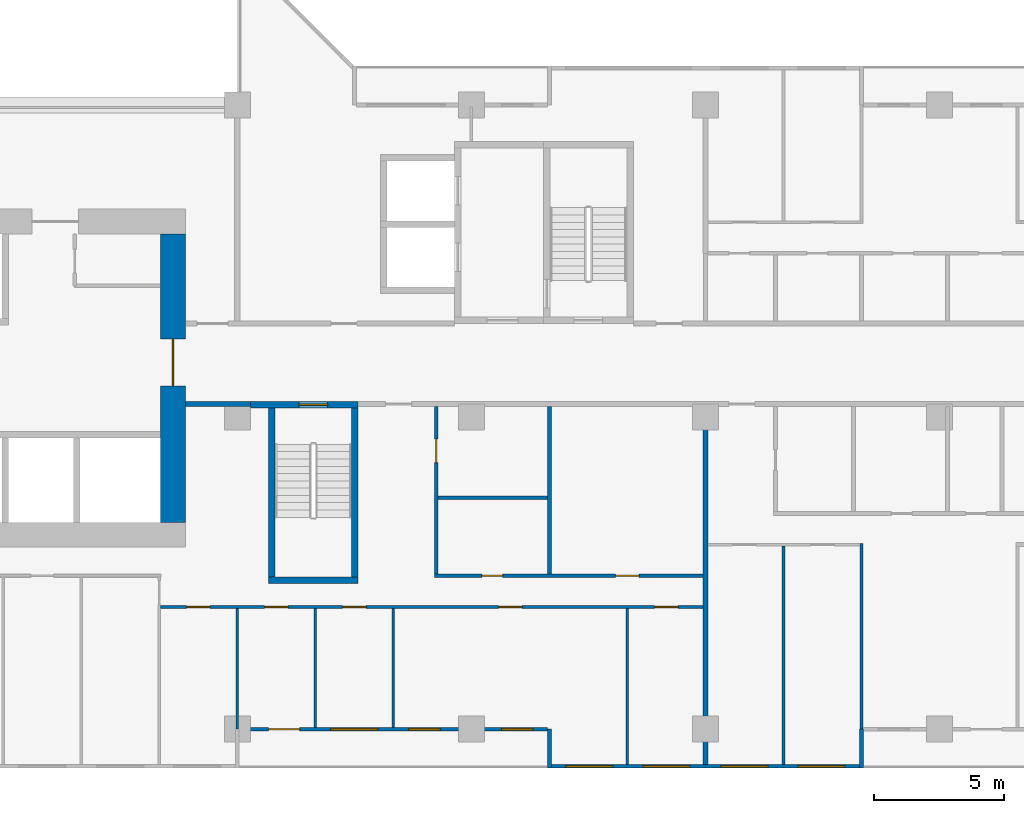
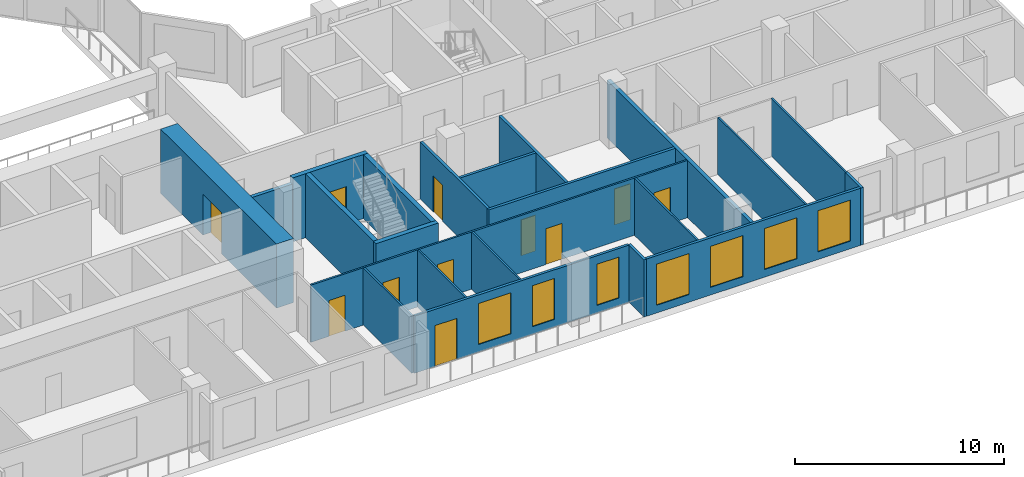
# One storey, part 6 of 16: 22 walls, 11 doors, 7 windows, 18 openings.
"""IFC4 building model written with IfcOpenShell, lengths in metres."""

from ifc_helpers import new_model, si_unit, direction, frame, frame_2d, origin, place, context, subcontext, project, spatial, rectangle, extrude, material, layer, layer_set, type_object, element, fill, save


model = new_model("IFC4")

# Units and contexts
model_context = context("Model", 3, precision=1e-05, world=origin(), true_north=direction((0.0, 1.0)))
body_context = subcontext(model_context, "Body", "Model", "MODEL_VIEW")
ifc_project = project(units=[si_unit("LENGTHUNIT", "METRE"), si_unit("AREAUNIT", "SQUARE_METRE"), si_unit("VOLUMEUNIT", "CUBIC_METRE"), si_unit("PLANEANGLEUNIT", "RADIAN"), si_unit("MASSUNIT", "GRAM", prefix="KILO")], contexts=[model_context])

# Site, building, storey
site_placement = place(None, origin())
site = spatial("IfcSite", under=ifc_project, at=site_placement, CompositionType="ELEMENT")
building_placement = place(site_placement, origin())
building = spatial("IfcBuilding", under=site, at=building_placement, Name="Chenar Terraces", CompositionType="ELEMENT")
storey_placement = place(building_placement, frame((0.0, 0.0, 103.14990234375)))
storey = spatial("IfcBuildingStorey", under=building, at=storey_placement, Name="L23", CompositionType="ELEMENT", Elevation=103.14990234375)

# Wall
ifc_material_1 = material(Name="Concrete C70/85", Category="concrete")
ifc_layer_1 = layer(ifc_material_1, 0.25)
ifc_layer_set_1 = layer_set([ifc_layer_1], Name="Concrete C70/85")
wall_type_1 = type_object("IfcWallType", Name="Core wall 250 Concrete C70/85", PredefinedType="SHEAR", material=ifc_layer_set_1)
wall_1_placement = place(storey_placement, frame((37.199951171875, 5.72509765625, 0.0), z_axis=(0.0, 0.0, 1.0), x_axis=(1.0, 0.0, 0.0)))
element("IfcWall", 1, at=wall_1_placement, inside=storey, type_object=wall_type_1, Name="Core wall ST2_S L23", PredefinedType="SHEAR", context=body_context, shape_type="SweptSolid", body=[
    extrude(rectangle(XDim=3.449951171875, YDim=0.25, at=frame_2d((1.72509765625, 0.0))), origin(), (0.0, 0.0, 1.0), 3.75),
])

# Wall, opening, door
wall_2_placement = place(storey_placement, frame((36.5, 12.47509765625, 0.0), z_axis=(0.0, 0.0, 1.0), x_axis=(1.0, 0.0, 0.0)))
wall_2 = element("IfcWall", 2, at=wall_2_placement, inside=storey, type_object=wall_type_1, Name="Core wall ST2_N L23", PredefinedType="SHEAR", context=body_context, shape_type="SweptSolid", body=[
    extrude(rectangle(XDim=4.14990234375, YDim=0.25, at=frame_2d((2.074951171875, 0.0))), origin(), (0.0, 0.0, 1.0), 3.75),
])
opening_1_placement = place(wall_2_placement, frame((1.875, 0.0, 0.0)))
opening_1 = element("IfcOpeningElement", 3, at=opening_1_placement, cuts=wall_2, Name="Opening DL23-C7", PredefinedType="OPENING", context=body_context, shape_type="SweptSolid", body=[
    extrude(rectangle(XDim=1.10009765625, YDim=2.199951171875, at=frame_2d((0.550048828125, 1.10009765625))), frame((0.0, 0.135009765625, 0.0), z_axis=(0.0, -1.0, 0.0), x_axis=(1.0, 0.0, 0.0)), (0.0, 0.0, 1.0), 0.27001953125),
])
ifc_material_2 = material(Name="Steel-framed fire-resisting door leaf", Category="steel")
door_type_1 = type_object("IfcDoorType", Name="Stair fire door FD60 1100 x 2200", OperationType="SINGLE_SWING_LEFT", PredefinedType="DOOR", material=ifc_material_2)
door_1_placement = place(opening_1_placement, frame((1.10009765625, 0.0, 0.0), z_axis=(0.0, 0.0, 1.0), x_axis=(-1.0, 0.0, 0.0)))
door_1 = element("IfcDoor", 4, at=door_1_placement, inside=storey, type_object=door_type_1, Name="Stair door DL23-C7", OperationType="SINGLE_SWING_RIGHT", OverallHeight=2.199951171875, OverallWidth=1.10009765625, PredefinedType="DOOR", context=body_context, shape_type="SweptSolid", body=[
    extrude(rectangle(XDim=1.10009765625, YDim=2.199951171875, at=frame_2d((0.550048828125, 1.10009765625))), frame((0.0, 0.02490234375, 0.0), z_axis=(0.0, -1.0, 0.0), x_axis=(1.0, 0.0, 0.0)), (0.0, 0.0, 1.0), 0.050048828125),
])
fill(opening_1, door_1)

# Walls
for number, where, z_axis, x_axis, name in (
    (5, (37.324951171875, 5.85009765625, 0.0), (0.0, 0.0, 1.0), (0.0, 1.0, 0.0), "Core wall ST2_W L23"),
    (6, (40.52490234375, 5.85009765625, 0.0), (0.0, 0.0, 1.0), (0.0, 1.0, 0.0), "Core wall ST2_E L23"),
):
    element("IfcWall", number, at=place(storey_placement, frame(where, z_axis=z_axis, x_axis=x_axis)), inside=storey, type_object=wall_type_1, Name=name, PredefinedType="SHEAR", context=body_context, shape_type="SweptSolid", body=[
        extrude(rectangle(XDim=6.5, YDim=0.25, at=frame_2d((3.25, 0.0))), origin(), (0.0, 0.0, 1.0), 3.75),
    ])

# Wall, opening, door
ifc_material_3 = material(Name="Concrete C70/85", Category="concrete")
ifc_layer_2 = layer(ifc_material_3, 0.949951171875)
ifc_layer_set_2 = layer_set([ifc_layer_2], Name="Concrete C70/85")
wall_type_2 = type_object("IfcWallType", Name="Core wall 950 Concrete C70/85", PredefinedType="SHEAR", material=ifc_layer_set_2)
wall_3_placement = place(storey_placement, frame((33.52490234375, 7.949951171875, 0.0), z_axis=(0.0, 0.0, 1.0), x_axis=(0.0, 1.0, 0.0)))
wall_3 = element("IfcWall", 7, at=wall_3_placement, inside=storey, type_object=wall_type_2, Name="Core wall E L23", PredefinedType="SHEAR", context=body_context, shape_type="SweptSolid", body=[
    extrude(rectangle(XDim=11.10009765625, YDim=0.949951171875, at=frame_2d((5.550048828125, 0.0))), origin(), (0.0, 0.0, 1.0), 3.75),
])
opening_2_placement = place(wall_3_placement, frame((5.25, 0.0, 0.0)))
opening_2 = element("IfcOpeningElement", 8, at=opening_2_placement, cuts=wall_3, Name="Opening DL23-C1", PredefinedType="OPENING", context=body_context, shape_type="SweptSolid", body=[
    extrude(rectangle(XDim=1.800048828125, YDim=2.39990234375, at=frame_2d((0.89990234375, 1.199951171875))), frame((0.0, 0.48486328125, 0.0), z_axis=(0.0, -1.0, 0.0), x_axis=(1.0, 0.0, 0.0)), (0.0, 0.0, 1.0), 0.969970703125),
])
ifc_material_4 = material(Name="Steel-framed fire-resisting door leaf", Category="steel")
door_type_2 = type_object("IfcDoorType", Name="Core entrance double fire door FD60 1800 x 2400", OperationType="DOUBLE_DOOR_SINGLE_SWING", PredefinedType="DOOR", material=ifc_material_4)
door_2_placement = place(opening_2_placement, origin())
door_2 = element("IfcDoor", 9, at=door_2_placement, inside=storey, type_object=door_type_2, Name="Core door DL23-C1", OperationType="DOUBLE_DOOR_SINGLE_SWING", OverallHeight=2.39990234375, OverallWidth=1.800048828125, PredefinedType="DOOR", context=body_context, shape_type="SweptSolid", body=[
    extrude(rectangle(XDim=1.800048828125, YDim=2.39990234375, at=frame_2d((0.89990234375, 1.199951171875))), frame((0.0, 0.02490234375, 0.0), z_axis=(0.0, -1.0, 0.0), x_axis=(1.0, 0.0, 0.0)), (0.0, 0.0, 1.0), 0.050048828125),
])
fill(opening_2, door_2)

# Wall
ifc_material_5 = material(Name="Gypsum board on steel studs with fire boards", Category="steel")
ifc_layer_3 = layer(ifc_material_5, 0.199951171875)
ifc_layer_set_3 = layer_set([ifc_layer_3], Name="Gypsum board on steel studs with fire boards")
wall_type_3 = type_object("IfcWallType", Name="Corridor wall 200", PredefinedType="PARTITIONING", material=ifc_layer_set_3)
wall_4_placement = place(storey_placement, frame((34.0, 12.5, 0.0), z_axis=(0.0, 0.0, 1.0), x_axis=(1.0, 0.0, 0.0)))
element("IfcWall", 10, at=wall_4_placement, inside=storey, type_object=wall_type_3, Name="Partition L23-061", PredefinedType="PARTITIONING", context=body_context, shape_type="SweptSolid", body=[
    extrude(rectangle(XDim=2.5009765625, YDim=0.199951171875, at=frame_2d((1.25048828125, 0.0))), origin(), (0.0, 0.0, 1.0), 3.35009765625),
])

# Wall, openings, windows
ifc_material_6 = material(Name="Aluminium framed glazing", Category="aluminium")
ifc_layer_4 = layer(ifc_material_6, 0.14990234375)
ifc_layer_set_4 = layer_set([ifc_layer_4], Name="Aluminium framed glazing")
wall_type_4 = type_object("IfcWallType", Name="Glazed flush facade wall 150", PredefinedType="SOLIDWALL", material=ifc_layer_set_4)
wall_5_placement = place(storey_placement, frame((48.074951171875, -1.425048828125, 0.0), z_axis=(0.0, 0.0, 1.0), x_axis=(1.0, 0.0, 0.0)))
wall_5 = element("IfcWall", 11, at=wall_5_placement, inside=storey, type_object=wall_type_4, Name="Glazed flush facade wall", PredefinedType="SOLIDWALL", context=body_context, shape_type="SweptSolid", body=[
    extrude(rectangle(XDim=11.85009765625, YDim=0.14990234375, at=frame_2d((5.925048828125, 0.0))), origin(), (0.0, 0.0, 1.0), 3.35009765625),
])
opening_3_placement = place(wall_5_placement, frame((0.5625, 0.0, 0.449951171875)))
opening_3 = element("IfcOpeningElement", 12, at=opening_3_placement, cuts=wall_5, Name="Opening W180x240", PredefinedType="OPENING", context=body_context, shape_type="SweptSolid", body=[
    extrude(rectangle(XDim=1.800048828125, YDim=2.39990234375, at=frame_2d((0.89990234375, 1.199951171875))), frame((0.0, 0.0849609375, 0.0), z_axis=(0.0, -1.0, 0.0), x_axis=(1.0, 0.0, 0.0)), (0.0, 0.0, 1.0), 0.169921875),
])
opening_4_placement = place(wall_5_placement, frame((3.52490234375, 0.0, 0.449951171875)))
opening_4 = element("IfcOpeningElement", 13, at=opening_4_placement, cuts=wall_5, Name="Opening W180x240", PredefinedType="OPENING", context=body_context, shape_type="SweptSolid", body=[
    extrude(rectangle(XDim=1.800048828125, YDim=2.39990234375, at=frame_2d((0.89990234375, 1.199951171875))), frame((0.0, 0.0849609375, 0.0), z_axis=(0.0, -1.0, 0.0), x_axis=(1.0, 0.0, 0.0)), (0.0, 0.0, 1.0), 0.169921875),
])
opening_5_placement = place(wall_5_placement, frame((6.52490234375, 0.0, 0.449951171875)))
opening_5 = element("IfcOpeningElement", 14, at=opening_5_placement, cuts=wall_5, Name="Opening W180x240", PredefinedType="OPENING", context=body_context, shape_type="SweptSolid", body=[
    extrude(rectangle(XDim=1.800048828125, YDim=2.39990234375, at=frame_2d((0.89990234375, 1.199951171875))), frame((0.0, 0.0849609375, 0.0), z_axis=(0.0, -1.0, 0.0), x_axis=(1.0, 0.0, 0.0)), (0.0, 0.0, 1.0), 0.169921875),
])
opening_6_placement = place(wall_5_placement, frame((9.487548828125, 0.0, 0.449951171875)))
opening_6 = element("IfcOpeningElement", 15, at=opening_6_placement, cuts=wall_5, Name="Opening W180x240", PredefinedType="OPENING", context=body_context, shape_type="SweptSolid", body=[
    extrude(rectangle(XDim=1.800048828125, YDim=2.39990234375, at=frame_2d((0.89990234375, 1.199951171875))), frame((0.0, 0.0849609375, 0.0), z_axis=(0.0, -1.0, 0.0), x_axis=(1.0, 0.0, 0.0)), (0.0, 0.0, 1.0), 0.169921875),
])
ifc_material_7 = material(Name="Low emissivity double glazing, aluminium frame", Category="aluminium")
window_type_1 = type_object("IfcWindowType", Name="Fixed light 1800 x 2400", PartitioningType="SINGLE_PANEL", PredefinedType="WINDOW", material=ifc_material_7)
window_1_placement = place(opening_3_placement, origin())
window_1 = element("IfcWindow", 16, at=window_1_placement, inside=storey, type_object=window_type_1, Name="Window", OverallHeight=2.39990234375, OverallWidth=1.800048828125, PartitioningType="SINGLE_PANEL", PredefinedType="WINDOW", context=body_context, shape_type="SweptSolid", body=[
    extrude(rectangle(XDim=1.800048828125, YDim=2.39990234375, at=frame_2d((0.89990234375, 1.199951171875))), frame((0.0, 0.030029296875, 0.0), z_axis=(0.0, -1.0, 0.0), x_axis=(1.0, 0.0, 0.0)), (0.0, 0.0, 1.0), 0.06005859375),
])
fill(opening_3, window_1)
window_2_placement = place(opening_4_placement, origin())
window_2 = element("IfcWindow", 17, at=window_2_placement, inside=storey, type_object=window_type_1, Name="Window", OverallHeight=2.39990234375, OverallWidth=1.800048828125, PartitioningType="SINGLE_PANEL", PredefinedType="WINDOW", context=body_context, shape_type="SweptSolid", body=[
    extrude(rectangle(XDim=1.800048828125, YDim=2.39990234375, at=frame_2d((0.89990234375, 1.199951171875))), frame((0.0, 0.030029296875, 0.0), z_axis=(0.0, -1.0, 0.0), x_axis=(1.0, 0.0, 0.0)), (0.0, 0.0, 1.0), 0.06005859375),
])
fill(opening_4, window_2)
window_3_placement = place(opening_5_placement, origin())
window_3 = element("IfcWindow", 18, at=window_3_placement, inside=storey, type_object=window_type_1, Name="Window", OverallHeight=2.39990234375, OverallWidth=1.800048828125, PartitioningType="SINGLE_PANEL", PredefinedType="WINDOW", context=body_context, shape_type="SweptSolid", body=[
    extrude(rectangle(XDim=1.800048828125, YDim=2.39990234375, at=frame_2d((0.89990234375, 1.199951171875))), frame((0.0, 0.030029296875, 0.0), z_axis=(0.0, -1.0, 0.0), x_axis=(1.0, 0.0, 0.0)), (0.0, 0.0, 1.0), 0.06005859375),
])
fill(opening_5, window_3)
window_4_placement = place(opening_6_placement, origin())
window_4 = element("IfcWindow", 19, at=window_4_placement, inside=storey, type_object=window_type_1, Name="Window", OverallHeight=2.39990234375, OverallWidth=1.800048828125, PartitioningType="SINGLE_PANEL", PredefinedType="WINDOW", context=body_context, shape_type="SweptSolid", body=[
    extrude(rectangle(XDim=1.800048828125, YDim=2.39990234375, at=frame_2d((0.89990234375, 1.199951171875))), frame((0.0, 0.030029296875, 0.0), z_axis=(0.0, -1.0, 0.0), x_axis=(1.0, 0.0, 0.0)), (0.0, 0.0, 1.0), 0.06005859375),
])
fill(opening_6, window_4)

# Wall, openings, windows, door
ifc_material_8 = material(Name="Aluminium framed glazing", Category="aluminium")
ifc_layer_5 = layer(ifc_material_8, 0.14990234375)
ifc_layer_set_5 = layer_set([ifc_layer_5], Name="Aluminium framed glazing")
wall_type_5 = type_object("IfcWallType", Name="Glazed loggia back wall 150", PredefinedType="SOLIDWALL", material=ifc_layer_set_5)
wall_6_placement = place(storey_placement, frame((36.074951171875, 0.0, 0.0), z_axis=(0.0, 0.0, 1.0), x_axis=(1.0, 0.0, 0.0)))
wall_6 = element("IfcWall", 20, at=wall_6_placement, inside=storey, type_object=wall_type_5, Name="Glazed loggia back wall", PredefinedType="SOLIDWALL", context=body_context, shape_type="SweptSolid", body=[
    extrude(rectangle(XDim=11.85009765625, YDim=0.14990234375, at=frame_2d((5.925048828125, 0.0))), origin(), (0.0, 0.0, 1.0), 3.35009765625),
])
opening_7_placement = place(wall_6_placement, frame((1.125, 0.0, 0.0)))
opening_7 = element("IfcOpeningElement", 21, at=opening_7_placement, cuts=wall_6, Name="Opening DL23-G7", PredefinedType="OPENING", context=body_context, shape_type="SweptSolid", body=[
    extrude(rectangle(XDim=1.199951171875, YDim=2.39990234375, at=frame_2d((0.60009765625, 1.199951171875))), frame((0.0, 0.0849609375, 0.0), z_axis=(0.0, -1.0, 0.0), x_axis=(1.0, 0.0, 0.0)), (0.0, 0.0, 1.0), 0.169921875),
])
opening_8_placement = place(wall_6_placement, frame((3.52490234375, 0.0, 0.449951171875)))
opening_8 = element("IfcOpeningElement", 22, at=opening_8_placement, cuts=wall_6, Name="Opening W180x240", PredefinedType="OPENING", context=body_context, shape_type="SweptSolid", body=[
    extrude(rectangle(XDim=1.800048828125, YDim=2.39990234375, at=frame_2d((0.89990234375, 1.199951171875))), frame((0.0, 0.0849609375, 0.0), z_axis=(0.0, -1.0, 0.0), x_axis=(1.0, 0.0, 0.0)), (0.0, 0.0, 1.0), 0.169921875),
])
opening_9_placement = place(wall_6_placement, frame((6.52490234375, 0.0, 0.449951171875)))
opening_9 = element("IfcOpeningElement", 23, at=opening_9_placement, cuts=wall_6, Name="Opening W120x240", PredefinedType="OPENING", context=body_context, shape_type="SweptSolid", body=[
    extrude(rectangle(XDim=1.199951171875, YDim=2.39990234375, at=frame_2d((0.60009765625, 1.199951171875))), frame((0.0, 0.0849609375, 0.0), z_axis=(0.0, -1.0, 0.0), x_axis=(1.0, 0.0, 0.0)), (0.0, 0.0, 1.0), 0.169921875),
])
opening_10_placement = place(wall_6_placement, frame((10.08740234375, 0.0, 0.449951171875)))
opening_10 = element("IfcOpeningElement", 24, at=opening_10_placement, cuts=wall_6, Name="Opening W120x240", PredefinedType="OPENING", context=body_context, shape_type="SweptSolid", body=[
    extrude(rectangle(XDim=1.199951171875, YDim=2.39990234375, at=frame_2d((0.60009765625, 1.199951171875))), frame((0.0, 0.0849609375, 0.0), z_axis=(0.0, -1.0, 0.0), x_axis=(1.0, 0.0, 0.0)), (0.0, 0.0, 1.0), 0.169921875),
])
ifc_material_9 = material(Name="Low emissivity double glazing, aluminium frame", Category="aluminium")
window_type_2 = type_object("IfcWindowType", Name="Fixed light 1200 x 2400", PartitioningType="SINGLE_PANEL", PredefinedType="WINDOW", material=ifc_material_9)
window_5_placement = place(opening_9_placement, origin())
window_5 = element("IfcWindow", 25, at=window_5_placement, inside=storey, type_object=window_type_2, Name="Window", OverallHeight=2.39990234375, OverallWidth=1.199951171875, PartitioningType="SINGLE_PANEL", PredefinedType="WINDOW", context=body_context, shape_type="SweptSolid", body=[
    extrude(rectangle(XDim=1.199951171875, YDim=2.39990234375, at=frame_2d((0.60009765625, 1.199951171875))), frame((0.0, 0.030029296875, 0.0), z_axis=(0.0, -1.0, 0.0), x_axis=(1.0, 0.0, 0.0)), (0.0, 0.0, 1.0), 0.06005859375),
])
fill(opening_9, window_5)
window_6_placement = place(opening_10_placement, origin())
window_6 = element("IfcWindow", 26, at=window_6_placement, inside=storey, type_object=window_type_2, Name="Window", OverallHeight=2.39990234375, OverallWidth=1.199951171875, PartitioningType="SINGLE_PANEL", PredefinedType="WINDOW", context=body_context, shape_type="SweptSolid", body=[
    extrude(rectangle(XDim=1.199951171875, YDim=2.39990234375, at=frame_2d((0.60009765625, 1.199951171875))), frame((0.0, 0.030029296875, 0.0), z_axis=(0.0, -1.0, 0.0), x_axis=(1.0, 0.0, 0.0)), (0.0, 0.0, 1.0), 0.06005859375),
])
fill(opening_10, window_6)
window_7_placement = place(opening_8_placement, origin())
window_7 = element("IfcWindow", 27, at=window_7_placement, inside=storey, type_object=window_type_1, Name="Window", OverallHeight=2.39990234375, OverallWidth=1.800048828125, PartitioningType="SINGLE_PANEL", PredefinedType="WINDOW", context=body_context, shape_type="SweptSolid", body=[
    extrude(rectangle(XDim=1.800048828125, YDim=2.39990234375, at=frame_2d((0.89990234375, 1.199951171875))), frame((0.0, 0.030029296875, 0.0), z_axis=(0.0, -1.0, 0.0), x_axis=(1.0, 0.0, 0.0)), (0.0, 0.0, 1.0), 0.06005859375),
])
fill(opening_8, window_7)
ifc_material_10 = material(Name="Low emissivity double glazing, aluminium frame", Category="aluminium")
door_type_3 = type_object("IfcDoorType", Name="Loggia glazed double door 1200 x 2400", OperationType="DOUBLE_DOOR_SINGLE_SWING", PredefinedType="DOOR", material=ifc_material_10)
door_3_placement = place(opening_7_placement, frame((1.199951171875, 0.0, 0.0), z_axis=(0.0, 0.0, 1.0), x_axis=(-1.0, 0.0, 0.0)))
door_3 = element("IfcDoor", 28, at=door_3_placement, inside=storey, type_object=door_type_3, Name="Loggia glazed door", OperationType="DOUBLE_DOOR_SINGLE_SWING", OverallHeight=2.39990234375, OverallWidth=1.199951171875, PredefinedType="DOOR", context=body_context, shape_type="SweptSolid", body=[
    extrude(rectangle(XDim=1.199951171875, YDim=2.39990234375, at=frame_2d((0.60009765625, 1.199951171875))), frame((0.0, 0.02490234375, 0.0), z_axis=(0.0, -1.0, 0.0), x_axis=(1.0, 0.0, 0.0)), (0.0, 0.0, 1.0), 0.050048828125),
])
fill(opening_7, door_3)

# Wall, openings, doors
ifc_material_11 = material(Name="Gypsum board on steel studs", Category="steel")
ifc_layer_6 = layer(ifc_material_11, 0.10009765625)
ifc_layer_set_6 = layer_set([ifc_layer_6], Name="Gypsum board on steel studs")
wall_type_6 = type_object("IfcWallType", Name="Gypsum partition 100", PredefinedType="PARTITIONING", material=ifc_layer_set_6)
wall_7_placement = place(storey_placement, frame((33.050048828125, 4.699951171875, 0.0), z_axis=(0.0, 0.0, 1.0), x_axis=(1.0, 0.0, 0.0)))
wall_7 = element("IfcWall", 29, at=wall_7_placement, inside=storey, type_object=wall_type_6, Name="Partition L23-060", PredefinedType="PARTITIONING", context=body_context, shape_type="SweptSolid", body=[
    extrude(rectangle(XDim=20.849853515625, YDim=0.10009765625, at=frame_2d((10.4248046875, 0.0))), origin(), (0.0, 0.0, 1.0), 3.35009765625),
])
opening_11_placement = place(wall_7_placement, frame((1.0, 0.0, 0.0)))
opening_11 = element("IfcOpeningElement", 30, at=opening_11_placement, cuts=wall_7, Name="Opening DL23-58", PredefinedType="OPENING", context=body_context, shape_type="SweptSolid", body=[
    extrude(rectangle(XDim=0.89990234375, YDim=2.10009765625, at=frame_2d((0.449951171875, 1.050048828125))), frame((0.0, 0.06005859375, 0.0), z_axis=(0.0, -1.0, 0.0), x_axis=(1.0, 0.0, 0.0)), (0.0, 0.0, 1.0), 0.1201171875),
])
opening_12_placement = place(wall_7_placement, frame((4.0, 0.0, 0.0)))
opening_12 = element("IfcOpeningElement", 31, at=opening_12_placement, cuts=wall_7, Name="Opening DL23-59", PredefinedType="OPENING", context=body_context, shape_type="SweptSolid", body=[
    extrude(rectangle(XDim=0.89990234375, YDim=2.10009765625, at=frame_2d((0.449951171875, 1.050048828125))), frame((0.0, 0.06005859375, 0.0), z_axis=(0.0, -1.0, 0.0), x_axis=(1.0, 0.0, 0.0)), (0.0, 0.0, 1.0), 0.1201171875),
])
opening_13_placement = place(wall_7_placement, frame((7.0, 0.0, 0.0)))
opening_13 = element("IfcOpeningElement", 32, at=opening_13_placement, cuts=wall_7, Name="Opening DL23-60", PredefinedType="OPENING", context=body_context, shape_type="SweptSolid", body=[
    extrude(rectangle(XDim=0.89990234375, YDim=2.10009765625, at=frame_2d((0.449951171875, 1.050048828125))), frame((0.0, 0.06005859375, 0.0), z_axis=(0.0, -1.0, 0.0), x_axis=(1.0, 0.0, 0.0)), (0.0, 0.0, 1.0), 0.1201171875),
])
opening_14_placement = place(wall_7_placement, frame((19.0, 0.0, 0.0)))
opening_14 = element("IfcOpeningElement", 33, at=opening_14_placement, cuts=wall_7, Name="Opening DL23-61", PredefinedType="OPENING", context=body_context, shape_type="SweptSolid", body=[
    extrude(rectangle(XDim=0.89990234375, YDim=2.10009765625, at=frame_2d((0.449951171875, 1.050048828125))), frame((0.0, 0.06005859375, 0.0), z_axis=(0.0, -1.0, 0.0), x_axis=(1.0, 0.0, 0.0)), (0.0, 0.0, 1.0), 0.1201171875),
])
opening_15_placement = place(wall_7_placement, frame((13.0, 0.0, 0.0)))
opening_15 = element("IfcOpeningElement", 34, at=opening_15_placement, cuts=wall_7, Name="Opening DL23-67", PredefinedType="OPENING", context=body_context, shape_type="SweptSolid", body=[
    extrude(rectangle(XDim=0.89990234375, YDim=2.10009765625, at=frame_2d((0.449951171875, 1.050048828125))), frame((0.0, 0.06005859375, 0.0), z_axis=(0.0, -1.0, 0.0), x_axis=(1.0, 0.0, 0.0)), (0.0, 0.0, 1.0), 0.1201171875),
])
ifc_material_12 = material(Name="Veneered timber door leaf", Category="wood")
door_type_4 = type_object("IfcDoorType", Name="Door 900 x 2100", OperationType="SINGLE_SWING_LEFT", PredefinedType="DOOR", material=ifc_material_12)
door_4_placement = place(opening_11_placement, frame((0.89990234375, 0.0, 0.0), z_axis=(0.0, 0.0, 1.0), x_axis=(-1.0, 0.0, 0.0)))
door_4 = element("IfcDoor", 35, at=door_4_placement, inside=storey, type_object=door_type_4, Name="Door DL23-58", OperationType="SINGLE_SWING_LEFT", OverallHeight=2.10009765625, OverallWidth=0.89990234375, PredefinedType="DOOR", context=body_context, shape_type="SweptSolid", body=[
    extrude(rectangle(XDim=0.89990234375, YDim=2.10009765625, at=frame_2d((0.449951171875, 1.050048828125))), frame((0.0, 0.02490234375, 0.0), z_axis=(0.0, -1.0, 0.0), x_axis=(1.0, 0.0, 0.0)), (0.0, 0.0, 1.0), 0.050048828125),
])
fill(opening_11, door_4)
door_5_placement = place(opening_12_placement, frame((0.89990234375, 0.0, 0.0), z_axis=(0.0, 0.0, 1.0), x_axis=(-1.0, 0.0, 0.0)))
door_5 = element("IfcDoor", 36, at=door_5_placement, inside=storey, type_object=door_type_4, Name="Door DL23-59", OperationType="SINGLE_SWING_LEFT", OverallHeight=2.10009765625, OverallWidth=0.89990234375, PredefinedType="DOOR", context=body_context, shape_type="SweptSolid", body=[
    extrude(rectangle(XDim=0.89990234375, YDim=2.10009765625, at=frame_2d((0.449951171875, 1.050048828125))), frame((0.0, 0.02490234375, 0.0), z_axis=(0.0, -1.0, 0.0), x_axis=(1.0, 0.0, 0.0)), (0.0, 0.0, 1.0), 0.050048828125),
])
fill(opening_12, door_5)
door_6_placement = place(opening_13_placement, frame((0.89990234375, 0.0, 0.0), z_axis=(0.0, 0.0, 1.0), x_axis=(-1.0, 0.0, 0.0)))
door_6 = element("IfcDoor", 37, at=door_6_placement, inside=storey, type_object=door_type_4, Name="Door DL23-60", OperationType="SINGLE_SWING_LEFT", OverallHeight=2.10009765625, OverallWidth=0.89990234375, PredefinedType="DOOR", context=body_context, shape_type="SweptSolid", body=[
    extrude(rectangle(XDim=0.89990234375, YDim=2.10009765625, at=frame_2d((0.449951171875, 1.050048828125))), frame((0.0, 0.02490234375, 0.0), z_axis=(0.0, -1.0, 0.0), x_axis=(1.0, 0.0, 0.0)), (0.0, 0.0, 1.0), 0.050048828125),
])
fill(opening_13, door_6)
door_7_placement = place(opening_14_placement, frame((0.89990234375, 0.0, 0.0), z_axis=(0.0, 0.0, 1.0), x_axis=(-1.0, 0.0, 0.0)))
door_7 = element("IfcDoor", 38, at=door_7_placement, inside=storey, type_object=door_type_4, Name="Door DL23-61", OperationType="SINGLE_SWING_LEFT", OverallHeight=2.10009765625, OverallWidth=0.89990234375, PredefinedType="DOOR", context=body_context, shape_type="SweptSolid", body=[
    extrude(rectangle(XDim=0.89990234375, YDim=2.10009765625, at=frame_2d((0.449951171875, 1.050048828125))), frame((0.0, 0.02490234375, 0.0), z_axis=(0.0, -1.0, 0.0), x_axis=(1.0, 0.0, 0.0)), (0.0, 0.0, 1.0), 0.050048828125),
])
fill(opening_14, door_7)
door_8_placement = place(opening_15_placement, frame((0.89990234375, 0.0, 0.0), z_axis=(0.0, 0.0, 1.0), x_axis=(-1.0, 0.0, 0.0)))
door_8 = element("IfcDoor", 39, at=door_8_placement, inside=storey, type_object=door_type_4, Name="Door DL23-67", OperationType="SINGLE_SWING_LEFT", OverallHeight=2.10009765625, OverallWidth=0.89990234375, PredefinedType="DOOR", context=body_context, shape_type="SweptSolid", body=[
    extrude(rectangle(XDim=0.89990234375, YDim=2.10009765625, at=frame_2d((0.449951171875, 1.050048828125))), frame((0.0, 0.02490234375, 0.0), z_axis=(0.0, -1.0, 0.0), x_axis=(1.0, 0.0, 0.0)), (0.0, 0.0, 1.0), 0.050048828125),
])
fill(opening_15, door_8)

# Walls
wall_8_placement = place(storey_placement, frame((36.0, 0.0, 0.0), z_axis=(0.0, 0.0, 1.0), x_axis=(0.0, 1.0, 0.0)))
element("IfcWall", 40, at=wall_8_placement, inside=storey, type_object=wall_type_6, Name="Partition L23-063", PredefinedType="PARTITIONING", context=body_context, shape_type="SweptSolid", body=[
    extrude(rectangle(XDim=4.64990234375, YDim=0.10009765625, at=frame_2d((2.324951171875, 0.0))), origin(), (0.0, 0.0, 1.0), 3.35009765625),
])
for number, where, z_axis, x_axis, name in (
    (41, (39.0, 0.073974609375, 0.0), (0.0, 0.0, 1.0), (0.0, 1.0, 0.0), "Partition L23-065"),
    (42, (42.0, 0.073974609375, 0.0), (0.0, 0.0, 1.0), (0.0, 1.0, 0.0), "Partition L23-067"),
):
    element("IfcWall", number, at=place(storey_placement, frame(where, z_axis=z_axis, x_axis=x_axis)), inside=storey, type_object=wall_type_6, Name=name, PredefinedType="PARTITIONING", context=body_context, shape_type="SweptSolid", body=[
        extrude(rectangle(XDim=4.575927734375, YDim=0.10009765625, at=frame_2d((2.2880859375, 0.0))), origin(), (0.0, 0.0, 1.0), 3.35009765625),
    ])
wall_9_placement = place(storey_placement, frame((51.0, -1.35009765625, 0.0), z_axis=(0.0, 0.0, 1.0), x_axis=(0.0, 1.0, 0.0)))
element("IfcWall", 43, at=wall_9_placement, inside=storey, type_object=wall_type_6, Name="Partition L23-073", PredefinedType="PARTITIONING", context=body_context, shape_type="SweptSolid", body=[
    extrude(rectangle(XDim=6.0, YDim=0.10009765625, at=frame_2d((3.0, 0.0))), origin(), (0.0, 0.0, 1.0), 3.35009765625),
])
wall_10_placement = place(storey_placement, frame((57.0, -1.35107421875, 0.0), z_axis=(0.0, 0.0, 1.0), x_axis=(0.0, 1.0, 0.0)))
element("IfcWall", 44, at=wall_10_placement, inside=storey, type_object=wall_type_6, Name="Partition L23-084", PredefinedType="PARTITIONING", context=body_context, shape_type="SweptSolid", body=[
    extrude(rectangle(XDim=8.401123046875, YDim=0.10009765625, at=frame_2d((4.20068359375, 0.0))), origin(), (0.0, 0.0, 1.0), 3.35009765625),
])
wall_11_placement = place(storey_placement, frame((60.0, 0.0, 0.0), z_axis=(0.0, 0.0, 1.0), x_axis=(0.0, 1.0, 0.0)))
element("IfcWall", 45, at=wall_11_placement, inside=storey, type_object=wall_type_6, Name="Partition L23-087", PredefinedType="PARTITIONING", context=body_context, shape_type="SweptSolid", body=[
    extrude(rectangle(XDim=7.14990234375, YDim=0.10009765625, at=frame_2d((3.574951171875, 0.0))), origin(), (0.0, 0.0, 1.0), 3.35009765625),
])
ifc_material_13 = material(Name="Terracotta cladding on insulated backing", Category="masonry")
ifc_layer_7 = layer(ifc_material_13, 0.14990234375)
ifc_layer_set_7 = layer_set([ifc_layer_7], Name="Terracotta cladding on insulated backing")
wall_type_7 = type_object("IfcWallType", Name="Loggia return wall 150", PredefinedType="SOLIDWALL", material=ifc_layer_set_7)
for number, where, z_axis, x_axis, name in (
    (46, (48.0, -1.5, 0.0), (0.0, 0.0, 1.0), (0.0, 1.0, 0.0), "Loggia return wall"),
    (47, (60.0, -1.5, 0.0), (0.0, 0.0, 1.0), (0.0, 1.0, 0.0), "Loggia return wall"),
):
    element("IfcWall", number, at=place(storey_placement, frame(where, z_axis=z_axis, x_axis=x_axis)), inside=storey, type_object=wall_type_7, Name=name, PredefinedType="SOLIDWALL", context=body_context, shape_type="SweptSolid", body=[
        extrude(rectangle(XDim=1.5, YDim=0.14990234375, at=frame_2d((0.75, 0.0))), origin(), (0.0, 0.0, 1.0), 3.35009765625),
    ])
ifc_material_14 = material(Name="Twin gypsum board on steel studs with mineral wool", Category="steel")
ifc_layer_8 = layer(ifc_material_14, 0.199951171875)
ifc_layer_set_8 = layer_set([ifc_layer_8], Name="Twin gypsum board on steel studs with mineral wool")
wall_type_8 = type_object("IfcWallType", Name="Unit demising wall 200", PredefinedType="PARTITIONING", material=ifc_layer_set_8)
wall_12_placement = place(storey_placement, frame((54.0, -1.35107421875, 0.0), z_axis=(0.0, 0.0, 1.0), x_axis=(0.0, 1.0, 0.0)))
element("IfcWall", 48, at=wall_12_placement, inside=storey, type_object=wall_type_8, Name="Partition L23-075", PredefinedType="PARTITIONING", context=body_context, shape_type="SweptSolid", body=[
    extrude(rectangle(XDim=13.7509765625, YDim=0.199951171875, at=frame_2d((6.87548828125, 0.0))), origin(), (0.0, 0.0, 1.0), 3.35009765625),
])

# Wall, openings, doors
ifc_material_15 = material(Name="Moisture-resistant gypsum board on steel studs", Category="steel")
ifc_layer_9 = layer(ifc_material_15, 0.14990234375)
ifc_layer_set_9 = layer_set([ifc_layer_9], Name="Moisture-resistant gypsum board on steel studs")
wall_type_9 = type_object("IfcWallType", Name="Wet-room partition 150", PredefinedType="PARTITIONING", material=ifc_layer_set_9)
wall_13_placement = place(storey_placement, frame((43.574951171875, 5.89990234375, 0.0), z_axis=(0.0, 0.0, 1.0), x_axis=(1.0, 0.0, 0.0)))
wall_13 = element("IfcWall", 49, at=wall_13_placement, inside=storey, type_object=wall_type_9, Name="Partition L23-068", PredefinedType="PARTITIONING", context=body_context, shape_type="SweptSolid", body=[
    extrude(rectangle(XDim=10.324951171875, YDim=0.14990234375, at=frame_2d((5.16259765625, 0.0))), origin(), (0.0, 0.0, 1.0), 3.35009765625),
])
opening_16_placement = place(wall_13_placement, frame((1.824951171875, 0.0, 0.0)))
opening_16 = element("IfcOpeningElement", 50, at=opening_16_placement, cuts=wall_13, Name="Opening DL23-53", PredefinedType="OPENING", context=body_context, shape_type="SweptSolid", body=[
    extrude(rectangle(XDim=0.800048828125, YDim=2.10009765625, at=frame_2d((0.39990234375, 1.050048828125))), frame((0.0, 0.0849609375, 0.0), z_axis=(0.0, -1.0, 0.0), x_axis=(1.0, 0.0, 0.0)), (0.0, 0.0, 1.0), 0.169921875),
])
opening_17_placement = place(wall_13_placement, frame((6.97509765625, 0.0, 0.0)))
opening_17 = element("IfcOpeningElement", 51, at=opening_17_placement, cuts=wall_13, Name="Opening DL23-68", PredefinedType="OPENING", context=body_context, shape_type="SweptSolid", body=[
    extrude(rectangle(XDim=0.89990234375, YDim=2.10009765625, at=frame_2d((0.449951171875, 1.050048828125))), frame((0.0, 0.0849609375, 0.0), z_axis=(0.0, -1.0, 0.0), x_axis=(1.0, 0.0, 0.0)), (0.0, 0.0, 1.0), 0.169921875),
])
ifc_material_16 = material(Name="Veneered timber door leaf", Category="wood")
door_type_5 = type_object("IfcDoorType", Name="Door 800 x 2100", OperationType="SINGLE_SWING_LEFT", PredefinedType="DOOR", material=ifc_material_16)
door_9_placement = place(opening_16_placement, origin())
door_9 = element("IfcDoor", 52, at=door_9_placement, inside=storey, type_object=door_type_5, Name="Door DL23-53", OperationType="SINGLE_SWING_RIGHT", OverallHeight=2.10009765625, OverallWidth=0.800048828125, PredefinedType="DOOR", context=body_context, shape_type="SweptSolid", body=[
    extrude(rectangle(XDim=0.800048828125, YDim=2.10009765625, at=frame_2d((0.39990234375, 1.050048828125))), frame((0.0, 0.02490234375, 0.0), z_axis=(0.0, -1.0, 0.0), x_axis=(1.0, 0.0, 0.0)), (0.0, 0.0, 1.0), 0.050048828125),
])
fill(opening_16, door_9)
door_10_placement = place(opening_17_placement, origin())
door_10 = element("IfcDoor", 53, at=door_10_placement, inside=storey, type_object=door_type_4, Name="Door DL23-68", OperationType="SINGLE_SWING_RIGHT", OverallHeight=2.10009765625, OverallWidth=0.89990234375, PredefinedType="DOOR", context=body_context, shape_type="SweptSolid", body=[
    extrude(rectangle(XDim=0.89990234375, YDim=2.10009765625, at=frame_2d((0.449951171875, 1.050048828125))), frame((0.0, 0.02490234375, 0.0), z_axis=(0.0, -1.0, 0.0), x_axis=(1.0, 0.0, 0.0)), (0.0, 0.0, 1.0), 0.050048828125),
])
fill(opening_17, door_10)

# Wall, opening, door
wall_14_placement = place(storey_placement, frame((43.64990234375, 5.97509765625, 0.0), z_axis=(0.0, 0.0, 1.0), x_axis=(0.0, 1.0, 0.0)))
wall_14 = element("IfcWall", 54, at=wall_14_placement, inside=storey, type_object=wall_type_9, Name="Partition L23-069", PredefinedType="PARTITIONING", context=body_context, shape_type="SweptSolid", body=[
    extrude(rectangle(XDim=6.4248046875, YDim=0.14990234375, at=frame_2d((3.21240234375, 0.0))), origin(), (0.0, 0.0, 1.0), 3.35009765625),
])
opening_18_placement = place(wall_14_placement, frame((4.27490234375, 0.0, 0.0)))
opening_18 = element("IfcOpeningElement", 55, at=opening_18_placement, cuts=wall_14, Name="Opening DL23-65", PredefinedType="OPENING", context=body_context, shape_type="SweptSolid", body=[
    extrude(rectangle(XDim=0.89990234375, YDim=2.10009765625, at=frame_2d((0.449951171875, 1.050048828125))), frame((0.0, 0.0849609375, 0.0), z_axis=(0.0, -1.0, 0.0), x_axis=(1.0, 0.0, 0.0)), (0.0, 0.0, 1.0), 0.169921875),
])
door_11_placement = place(opening_18_placement, frame((0.89990234375, 0.0, 0.0), z_axis=(0.0, 0.0, 1.0), x_axis=(-1.0, 0.0, 0.0)))
door_11 = element("IfcDoor", 56, at=door_11_placement, inside=storey, type_object=door_type_4, Name="Door DL23-65", OperationType="SINGLE_SWING_RIGHT", OverallHeight=2.10009765625, OverallWidth=0.89990234375, PredefinedType="DOOR", context=body_context, shape_type="SweptSolid", body=[
    extrude(rectangle(XDim=0.89990234375, YDim=2.10009765625, at=frame_2d((0.449951171875, 1.050048828125))), frame((0.0, 0.02490234375, 0.0), z_axis=(0.0, -1.0, 0.0), x_axis=(1.0, 0.0, 0.0)), (0.0, 0.0, 1.0), 0.050048828125),
])
fill(opening_18, door_11)

# Walls
wall_15_placement = place(storey_placement, frame((43.72509765625, 8.89990234375, 0.0), z_axis=(0.0, 0.0, 1.0), x_axis=(1.0, 0.0, 0.0)))
element("IfcWall", 57, at=wall_15_placement, inside=storey, type_object=wall_type_9, Name="Partition L23-070", PredefinedType="PARTITIONING", context=body_context, shape_type="SweptSolid", body=[
    extrude(rectangle(XDim=4.199951171875, YDim=0.14990234375, at=frame_2d((2.10009765625, 0.0))), origin(), (0.0, 0.0, 1.0), 3.35009765625),
])
wall_16_placement = place(storey_placement, frame((48.0, 5.97509765625, 0.0), z_axis=(0.0, 0.0, 1.0), x_axis=(0.0, 1.0, 0.0)))
element("IfcWall", 58, at=wall_16_placement, inside=storey, type_object=wall_type_9, Name="Partition L23-072", PredefinedType="PARTITIONING", context=body_context, shape_type="SweptSolid", body=[
    extrude(rectangle(XDim=6.4248046875, YDim=0.14990234375, at=frame_2d((3.21240234375, 0.0))), origin(), (0.0, 0.0, 1.0), 3.35009765625),
])

save(model, "model.ifc")
